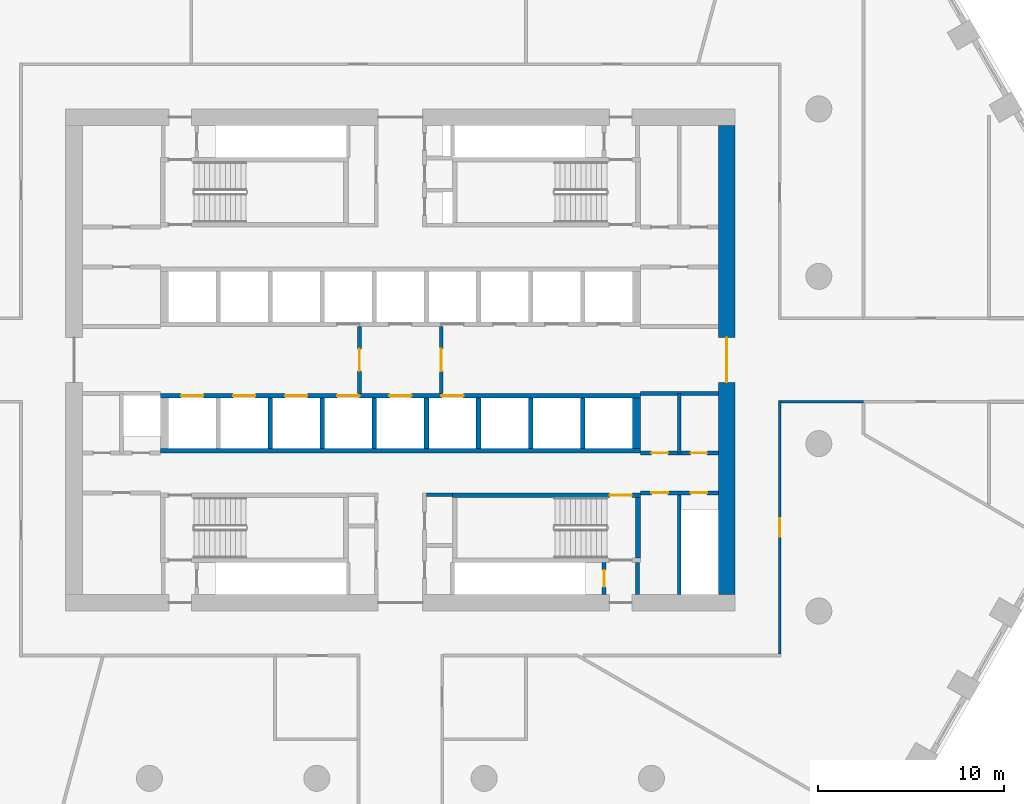
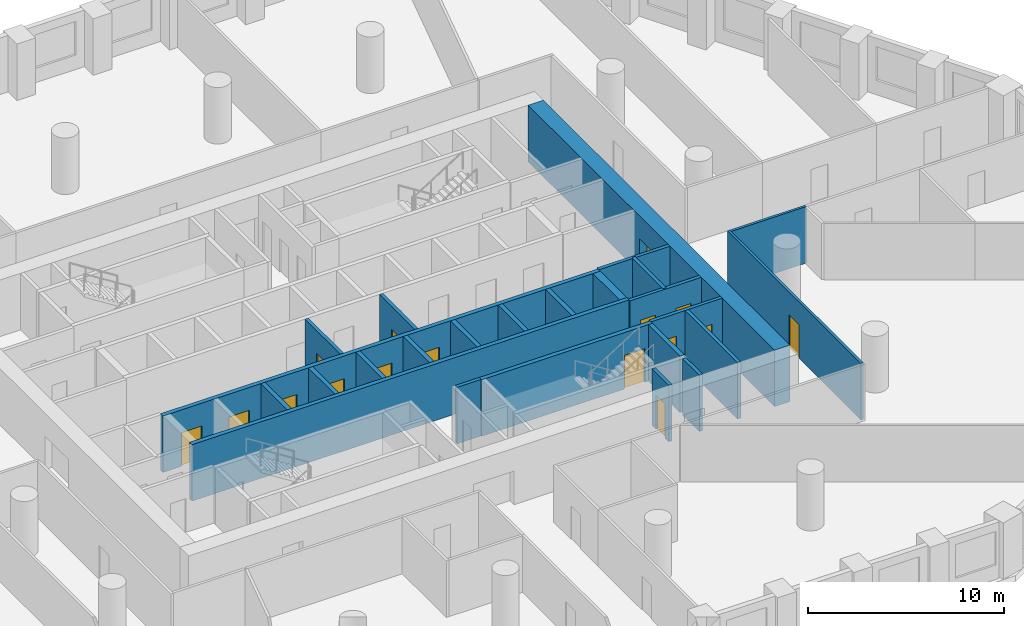
# One storey, part 4 of 10: 25 walls, 16 doors, 16 openings.
"""IFC4 building model written with IfcOpenShell, lengths in metres."""

from ifc_helpers import new_model, si_unit, direction, frame, frame_2d, origin, place, context, subcontext, project, spatial, polyline, rectangle, outline, extrude, material, layer, layer_set, type_object, element, fill, save


model = new_model("IFC4")

# Units and contexts
model_context = context("Model", 3, precision=1e-05, world=origin(), true_north=direction((0.0, 1.0)))
body_context = subcontext(model_context, "Body", "Model", "MODEL_VIEW")
ifc_project = project(units=[si_unit("LENGTHUNIT", "METRE"), si_unit("AREAUNIT", "SQUARE_METRE"), si_unit("VOLUMEUNIT", "CUBIC_METRE"), si_unit("PLANEANGLEUNIT", "RADIAN"), si_unit("MASSUNIT", "GRAM", prefix="KILO")], contexts=[model_context])

# Site, building, storey
site_placement = place(None, origin())
site = spatial("IfcSite", under=ifc_project, at=site_placement, CompositionType="ELEMENT")
building_placement = place(site_placement, origin())
building = spatial("IfcBuilding", under=site, at=building_placement, Name="Dhurran Vertical Campus", CompositionType="ELEMENT")
storey_placement = place(building_placement, frame((0.0, 0.0, 69.0)))
storey = spatial("IfcBuildingStorey", under=building, at=storey_placement, Name="L16", CompositionType="ELEMENT", Elevation=69.0)

# Wall, opening, door
ifc_material_1 = material(Name="Concrete C60/75", Category="concrete")
ifc_layer_1 = layer(ifc_material_1, 0.89990234375)
ifc_layer_set_1 = layer_set([ifc_layer_1], Name="Concrete C60/75")
wall_type_1 = type_object("IfcWallType", Name="co-CORE-WALL-C0-900", PredefinedType="SHEAR", material=ifc_layer_set_1)
wall_1_placement = place(storey_placement, frame((17.550048828125, -12.60009765625, 0.0), z_axis=(0.0, 0.0, 1.0), x_axis=(0.0, 1.0, 0.0)))
wall_1 = element("IfcWall", 1, at=wall_1_placement, inside=storey, type_object=wall_type_1, Name="Core wall E L16", PredefinedType="SHEAR", context=body_context, shape_type="SweptSolid", body=[
    extrude(rectangle(XDim=25.2001953125, YDim=0.89990234375, at=frame_2d((12.60009765625, 0.0))), origin(), (0.0, 0.0, 1.0), 3.52490234375),
])
opening_1_placement = place(wall_1_placement, frame((11.39990234375, 0.0, 0.0)))
opening_1 = element("IfcOpeningElement", 2, at=opening_1_placement, cuts=wall_1, Name="Opening CL2", PredefinedType="OPENING", context=body_context, shape_type="SweptSolid", body=[
    extrude(rectangle(XDim=2.39990234375, YDim=2.10009765625, at=frame_2d((1.199951171875, 1.050048828125))), frame((0.0, 0.4599609375, 0.0), z_axis=(0.0, -1.0, 0.0), x_axis=(1.0, 0.0, 0.0)), (0.0, 0.0, 1.0), 0.919921875),
])
ifc_material_2 = material(Name="Fire-rated glazed door set")
door_type_1 = type_object("IfcDoorType", Name="co-D-LOBBY 2400x2100", OperationType="DOUBLE_DOOR_DOUBLE_SWING", PredefinedType="DOOR", material=ifc_material_2)
door_1_placement = place(opening_1_placement, origin())
door_1 = element("IfcDoor", 3, at=door_1_placement, inside=storey, type_object=door_type_1, Name="Lift lobby door E L16", OperationType="DOUBLE_DOOR_DOUBLE_SWING", OverallHeight=2.10009765625, OverallWidth=2.39990234375, PredefinedType="DOOR", context=body_context, shape_type="SweptSolid", body=[
    extrude(rectangle(XDim=2.39990234375, YDim=2.10009765625, at=frame_2d((1.199951171875, 1.050048828125))), frame((0.0, 0.02490234375, 0.0), z_axis=(0.0, -1.0, 0.0), x_axis=(1.0, 0.0, 0.0)), (0.0, 0.0, 1.0), 0.050048828125),
])
fill(opening_1, door_1)

ifc_material_3 = material(Name="Fire-rated masonry blockwork", Category="masonry")
ifc_layer_2 = layer(ifc_material_3, 0.199951171875)
ifc_layer_set_2 = layer_set([ifc_layer_2], Name="Fire-rated masonry blockwork")
wall_type_2 = type_object("IfcWallType", Name="co-FIRE-PARTITION-200", PredefinedType="PARTITIONING", material=ifc_layer_set_2)
wall_2_placement = place(storey_placement, frame((-2.199951171875, -1.800048828125, 0.0), z_axis=(0.0, 0.0, 1.0), x_axis=(0.0, 1.0, 0.0)))
wall_2 = element("IfcWall", 4, at=wall_2_placement, inside=storey, type_object=wall_type_2, Name="Firefighting lobby wall W L16", PredefinedType="PARTITIONING", context=body_context, shape_type="SweptSolid", body=[
    extrude(rectangle(XDim=3.60009765625, YDim=0.199951171875, at=frame_2d((1.800048828125, 0.0))), origin(), (0.0, 0.0, 1.0), 3.52490234375),
])
opening_2_placement = place(wall_2_placement, frame((1.199951171875, 0.0, 0.0)))
opening_2 = element("IfcOpeningElement", 5, at=opening_2_placement, cuts=wall_2, Name="Opening FL1", PredefinedType="OPENING", context=body_context, shape_type="SweptSolid", body=[
    extrude(rectangle(XDim=1.199951171875, YDim=2.10009765625, at=frame_2d((0.60009765625, 1.050048828125))), frame((0.0, 0.10986328125, 0.0), z_axis=(0.0, -1.0, 0.0), x_axis=(1.0, 0.0, 0.0)), (0.0, 0.0, 1.0), 0.219970703125),
])
ifc_material_4 = material(Name="Fire-rated steel door set", Category="steel")
door_type_2 = type_object("IfcDoorType", Name="co-D-FFLOBBY 1200x2100", OperationType="SINGLE_SWING_LEFT", PredefinedType="DOOR", material=ifc_material_4)
door_2_placement = place(opening_2_placement, origin())
door_2 = element("IfcDoor", 6, at=door_2_placement, inside=storey, type_object=door_type_2, Name="Firefighting lobby door W L16", OperationType="SINGLE_SWING_LEFT", OverallHeight=2.10009765625, OverallWidth=1.199951171875, PredefinedType="DOOR", context=body_context, shape_type="SweptSolid", body=[
    extrude(rectangle(XDim=1.199951171875, YDim=2.10009765625, at=frame_2d((0.60009765625, 1.050048828125))), frame((0.0, 0.02490234375, 0.0), z_axis=(0.0, -1.0, 0.0), x_axis=(1.0, 0.0, 0.0)), (0.0, 0.0, 1.0), 0.050048828125),
])
fill(opening_2, door_2)

wall_3_placement = place(storey_placement, frame((2.199951171875, -1.800048828125, 0.0), z_axis=(0.0, 0.0, 1.0), x_axis=(0.0, 1.0, 0.0)))
wall_3 = element("IfcWall", 7, at=wall_3_placement, inside=storey, type_object=wall_type_2, Name="Firefighting lobby wall E L16", PredefinedType="PARTITIONING", context=body_context, shape_type="SweptSolid", body=[
    extrude(rectangle(XDim=3.60009765625, YDim=0.199951171875, at=frame_2d((1.800048828125, 0.0))), origin(), (0.0, 0.0, 1.0), 3.52490234375),
])
opening_3_placement = place(wall_3_placement, frame((1.199951171875, 0.0, 0.0)))
opening_3 = element("IfcOpeningElement", 8, at=opening_3_placement, cuts=wall_3, Name="Opening FL2", PredefinedType="OPENING", context=body_context, shape_type="SweptSolid", body=[
    extrude(rectangle(XDim=1.199951171875, YDim=2.10009765625, at=frame_2d((0.60009765625, 1.050048828125))), frame((0.0, 0.10986328125, 0.0), z_axis=(0.0, -1.0, 0.0), x_axis=(1.0, 0.0, 0.0)), (0.0, 0.0, 1.0), 0.219970703125),
])
door_3_placement = place(opening_3_placement, origin())
door_3 = element("IfcDoor", 9, at=door_3_placement, inside=storey, type_object=door_type_2, Name="Firefighting lobby door E L16", OperationType="SINGLE_SWING_LEFT", OverallHeight=2.10009765625, OverallWidth=1.199951171875, PredefinedType="DOOR", context=body_context, shape_type="SweptSolid", body=[
    extrude(rectangle(XDim=1.199951171875, YDim=2.10009765625, at=frame_2d((0.60009765625, 1.050048828125))), frame((0.0, 0.02490234375, 0.0), z_axis=(0.0, -1.0, 0.0), x_axis=(1.0, 0.0, 0.0)), (0.0, 0.0, 1.0), 0.050048828125),
])
fill(opening_3, door_3)

# Walls
wall_4_placement = place(storey_placement, frame((1.39990234375, -7.25, 0.0), z_axis=(0.0, 0.0, 1.0), x_axis=(1.0, 0.0, 0.0)))
element("IfcWall", 10, at=wall_4_placement, inside=storey, type_object=wall_type_2, Name="Core partition sl-SE-S L16", PredefinedType="PARTITIONING", context=body_context, shape_type="SweptSolid", body=[
    extrude(rectangle(XDim=1.400146484375, YDim=0.199951171875, at=frame_2d((0.7001953125, 0.0))), origin(), (0.0, 0.0, 1.0), 3.52490234375),
])
wall_5_placement = place(storey_placement, frame((12.75, -12.60009765625, 0.0), z_axis=(0.0, 0.0, 1.0), x_axis=(0.0, 1.0, 0.0)))
element("IfcWall", 11, at=wall_5_placement, inside=storey, type_object=wall_type_2, Name="Core partition pass-ST4-o L16", PredefinedType="PARTITIONING", context=body_context, shape_type="SweptSolid", body=[
    extrude(rectangle(XDim=1.7001953125, YDim=0.199951171875, at=frame_2d((0.85009765625, 0.0))), origin(), (0.0, 0.0, 1.0), 3.52490234375),
])

# Wall, opening, door
wall_6_placement = place(storey_placement, frame((10.949951171875, -12.60009765625, 0.0), z_axis=(0.0, 0.0, 1.0), x_axis=(0.0, 1.0, 0.0)))
wall_6 = element("IfcWall", 12, at=wall_6_placement, inside=storey, type_object=wall_type_2, Name="Core partition pass-ST4-i L16", PredefinedType="PARTITIONING", context=body_context, shape_type="SweptSolid", body=[
    extrude(rectangle(XDim=1.7001953125, YDim=0.199951171875, at=frame_2d((0.85009765625, 0.0))), origin(), (0.0, 0.0, 1.0), 3.52490234375),
])
opening_4_placement = place(wall_6_placement, frame((0.39990234375, 0.0, 0.0)))
opening_4 = element("IfcOpeningElement", 13, at=opening_4_placement, cuts=wall_6, Name="Opening T04-C12", PredefinedType="OPENING", context=body_context, shape_type="SweptSolid", body=[
    extrude(rectangle(XDim=0.89990234375, YDim=2.10009765625, at=frame_2d((0.449951171875, 1.050048828125))), frame((0.0, 0.10986328125, 0.0), z_axis=(0.0, -1.0, 0.0), x_axis=(1.0, 0.0, 0.0)), (0.0, 0.0, 1.0), 0.219970703125),
])
ifc_material_5 = material(Name="Fire-rated timber door set", Category="wood")
door_type_3 = type_object("IfcDoorType", Name="co-D-ROOM 900x2100", OperationType="SINGLE_SWING_LEFT", PredefinedType="DOOR", material=ifc_material_5)
door_4_placement = place(opening_4_placement, origin())
door_4 = element("IfcDoor", 14, at=door_4_placement, inside=storey, type_object=door_type_3, Name="Riser room door L16", OperationType="SINGLE_SWING_LEFT", OverallHeight=2.10009765625, OverallWidth=0.89990234375, PredefinedType="DOOR", context=body_context, shape_type="SweptSolid", body=[
    extrude(rectangle(XDim=0.89990234375, YDim=2.10009765625, at=frame_2d((0.449951171875, 1.050048828125))), frame((0.0, 0.02490234375, 0.0), z_axis=(0.0, -1.0, 0.0), x_axis=(1.0, 0.0, 0.0)), (0.0, 0.0, 1.0), 0.050048828125),
])
fill(opening_4, door_4)

# Wall
wall_7_placement = place(storey_placement, frame((15.0, -12.60009765625, 0.0), z_axis=(0.0, 0.0, 1.0), x_axis=(0.0, 1.0, 0.0)))
element("IfcWall", 15, at=wall_7_placement, inside=storey, type_object=wall_type_2, Name="Core partition en-SE-cut0 L16", PredefinedType="PARTITIONING", context=body_context, shape_type="SweptSolid", body=[
    extrude(rectangle(XDim=5.4501953125, YDim=0.199951171875, at=frame_2d((2.72509765625, 0.0))), origin(), (0.0, 0.0, 1.0), 3.52490234375),
])

# Wall, openings, doors
wall_8_placement = place(storey_placement, frame((12.89990234375, -7.14990234375, 0.0), z_axis=(0.0, 0.0, 1.0), x_axis=(1.0, 0.0, 0.0)))
wall_8 = element("IfcWall", 16, at=wall_8_placement, inside=storey, type_object=wall_type_2, Name="Core partition en-SE-w L16", PredefinedType="PARTITIONING", context=body_context, shape_type="SweptSolid", body=[
    extrude(rectangle(XDim=4.2001953125, YDim=0.199951171875, at=frame_2d((2.10009765625, 0.0))), origin(), (0.0, 0.0, 1.0), 3.52490234375),
])
opening_5_placement = place(wall_8_placement, frame((0.60009765625, 0.0, 0.0)))
opening_5 = element("IfcOpeningElement", 17, at=opening_5_placement, cuts=wall_8, Name="Opening T04-C21", PredefinedType="OPENING", context=body_context, shape_type="SweptSolid", body=[
    extrude(rectangle(XDim=0.89990234375, YDim=2.10009765625, at=frame_2d((0.449951171875, 1.050048828125))), frame((0.0, 0.10986328125, 0.0), z_axis=(0.0, -1.0, 0.0), x_axis=(1.0, 0.0, 0.0)), (0.0, 0.0, 1.0), 0.219970703125),
])
opening_6_placement = place(wall_8_placement, frame((2.699951171875, 0.0, 0.0)))
opening_6 = element("IfcOpeningElement", 18, at=opening_6_placement, cuts=wall_8, Name="Opening T04-C22", PredefinedType="OPENING", context=body_context, shape_type="SweptSolid", body=[
    extrude(rectangle(XDim=0.89990234375, YDim=2.10009765625, at=frame_2d((0.449951171875, 1.050048828125))), frame((0.0, 0.10986328125, 0.0), z_axis=(0.0, -1.0, 0.0), x_axis=(1.0, 0.0, 0.0)), (0.0, 0.0, 1.0), 0.219970703125),
])
door_5_placement = place(opening_5_placement, origin())
door_5 = element("IfcDoor", 19, at=door_5_placement, inside=storey, type_object=door_type_3, Name="Store door L16", OperationType="SINGLE_SWING_LEFT", OverallHeight=2.10009765625, OverallWidth=0.89990234375, PredefinedType="DOOR", context=body_context, shape_type="SweptSolid", body=[
    extrude(rectangle(XDim=0.89990234375, YDim=2.10009765625, at=frame_2d((0.449951171875, 1.050048828125))), frame((0.0, 0.02490234375, 0.0), z_axis=(0.0, -1.0, 0.0), x_axis=(1.0, 0.0, 0.0)), (0.0, 0.0, 1.0), 0.050048828125),
])
fill(opening_5, door_5)
door_6_placement = place(opening_6_placement, origin())
door_6 = element("IfcDoor", 20, at=door_6_placement, inside=storey, type_object=door_type_3, Name="Electrical riser door L16", OperationType="SINGLE_SWING_LEFT", OverallHeight=2.10009765625, OverallWidth=0.89990234375, PredefinedType="DOOR", context=body_context, shape_type="SweptSolid", body=[
    extrude(rectangle(XDim=0.89990234375, YDim=2.10009765625, at=frame_2d((0.449951171875, 1.050048828125))), frame((0.0, 0.02490234375, 0.0), z_axis=(0.0, -1.0, 0.0), x_axis=(1.0, 0.0, 0.0)), (0.0, 0.0, 1.0), 0.050048828125),
])
fill(opening_6, door_6)

# Wall
wall_9_placement = place(storey_placement, frame((15.0, -5.0, 0.0), z_axis=(0.0, 0.0, 1.0), x_axis=(0.0, 1.0, 0.0)))
element("IfcWall", 21, at=wall_9_placement, inside=storey, type_object=wall_type_2, Name="Core partition es-SE-cut0 L16", PredefinedType="PARTITIONING", context=body_context, shape_type="SweptSolid", body=[
    extrude(rectangle(XDim=3.199951171875, YDim=0.199951171875, at=frame_2d((1.60009765625, 0.0))), origin(), (0.0, 0.0, 1.0), 3.52490234375),
])

# Wall, openings, doors
wall_10_placement = place(storey_placement, frame((12.89990234375, -5.0, 0.0), z_axis=(0.0, 0.0, 1.0), x_axis=(1.0, 0.0, 0.0)))
wall_10 = element("IfcWall", 22, at=wall_10_placement, inside=storey, type_object=wall_type_2, Name="Core partition es-SE-w L16", PredefinedType="PARTITIONING", context=body_context, shape_type="SweptSolid", body=[
    extrude(rectangle(XDim=4.2001953125, YDim=0.199951171875, at=frame_2d((2.10009765625, 0.0))), origin(), (0.0, 0.0, 1.0), 3.52490234375),
])
opening_7_placement = place(wall_10_placement, frame((0.60009765625, 0.0, 0.0)))
opening_7 = element("IfcOpeningElement", 23, at=opening_7_placement, cuts=wall_10, Name="Opening T04-C23", PredefinedType="OPENING", context=body_context, shape_type="SweptSolid", body=[
    extrude(rectangle(XDim=0.89990234375, YDim=2.10009765625, at=frame_2d((0.449951171875, 1.050048828125))), frame((0.0, 0.10986328125, 0.0), z_axis=(0.0, -1.0, 0.0), x_axis=(1.0, 0.0, 0.0)), (0.0, 0.0, 1.0), 0.219970703125),
])
opening_8_placement = place(wall_10_placement, frame((2.699951171875, 0.0, 0.0)))
opening_8 = element("IfcOpeningElement", 24, at=opening_8_placement, cuts=wall_10, Name="Opening T04-C24", PredefinedType="OPENING", context=body_context, shape_type="SweptSolid", body=[
    extrude(rectangle(XDim=0.89990234375, YDim=2.10009765625, at=frame_2d((0.449951171875, 1.050048828125))), frame((0.0, 0.10986328125, 0.0), z_axis=(0.0, -1.0, 0.0), x_axis=(1.0, 0.0, 0.0)), (0.0, 0.0, 1.0), 0.219970703125),
])
door_7_placement = place(opening_7_placement, origin())
door_7 = element("IfcDoor", 25, at=door_7_placement, inside=storey, type_object=door_type_3, Name="Pantry door L16", OperationType="SINGLE_SWING_LEFT", OverallHeight=2.10009765625, OverallWidth=0.89990234375, PredefinedType="DOOR", context=body_context, shape_type="SweptSolid", body=[
    extrude(rectangle(XDim=0.89990234375, YDim=2.10009765625, at=frame_2d((0.449951171875, 1.050048828125))), frame((0.0, 0.02490234375, 0.0), z_axis=(0.0, -1.0, 0.0), x_axis=(1.0, 0.0, 0.0)), (0.0, 0.0, 1.0), 0.050048828125),
])
fill(opening_7, door_7)
door_8_placement = place(opening_8_placement, origin())
door_8 = element("IfcDoor", 26, at=door_8_placement, inside=storey, type_object=door_type_3, Name="Pantry door L16", OperationType="SINGLE_SWING_LEFT", OverallHeight=2.10009765625, OverallWidth=0.89990234375, PredefinedType="DOOR", context=body_context, shape_type="SweptSolid", body=[
    extrude(rectangle(XDim=0.89990234375, YDim=2.10009765625, at=frame_2d((0.449951171875, 1.050048828125))), frame((0.0, 0.02490234375, 0.0), z_axis=(0.0, -1.0, 0.0), x_axis=(1.0, 0.0, 0.0)), (0.0, 0.0, 1.0), 0.050048828125),
])
fill(opening_8, door_8)

# Wall
wall_11_placement = place(storey_placement, frame((12.89990234375, -1.800048828125, 0.0), z_axis=(0.0, 0.0, 1.0), x_axis=(1.0, 0.0, 0.0)))
element("IfcWall", 27, at=wall_11_placement, inside=storey, type_object=wall_type_2, Name="Core partition es-SE-l L16", PredefinedType="PARTITIONING", context=body_context, shape_type="SweptSolid", body=[
    extrude(rectangle(XDim=4.2001953125, YDim=0.199951171875, at=frame_2d((2.10009765625, 0.0))), origin(), (0.0, 0.0, 1.0), 3.52490234375),
])

# Wall, openings, doors
ifc_material_6 = material(Name="Concrete C50/60", Category="concrete")
ifc_layer_3 = layer(ifc_material_6, 0.25)
ifc_layer_set_3 = layer_set([ifc_layer_3], Name="Concrete C50/60")
wall_type_3 = type_object("IfcWallType", Name="co-SHAFT-FRONT-250", PredefinedType="SHEAR", material=ifc_layer_set_3)
wall_12_placement = place(storey_placement, frame((-12.89990234375, -1.925048828125, 0.0), z_axis=(0.0, 0.0, 1.0), x_axis=(1.0, 0.0, 0.0)))
wall_12 = element("IfcWall", 28, at=wall_12_placement, inside=storey, type_object=wall_type_3, Name="Lift landing wall S L16", PredefinedType="SHEAR", context=body_context, shape_type="SweptSolid", body=[
    extrude(rectangle(XDim=25.7998046875, YDim=0.25, at=frame_2d((12.89990234375, 0.0))), origin(), (0.0, 0.0, 1.0), 3.52490234375),
])
opening_9_placement = place(wall_12_placement, frame((1.10009765625, 0.0, 0.0)))
opening_9 = element("IfcOpeningElement", 29, at=opening_9_placement, cuts=wall_12, Name="Opening LD", PredefinedType="OPENING", context=body_context, shape_type="SweptSolid", body=[
    extrude(rectangle(XDim=1.199951171875, YDim=2.10009765625, at=frame_2d((0.60009765625, 1.050048828125))), frame((0.0, 0.135009765625, 0.0), z_axis=(0.0, -1.0, 0.0), x_axis=(1.0, 0.0, 0.0)), (0.0, 0.0, 1.0), 0.27001953125),
])
opening_10_placement = place(wall_12_placement, frame((3.89990234375, 0.0, 0.0)))
opening_10 = element("IfcOpeningElement", 30, at=opening_10_placement, cuts=wall_12, Name="Opening LD", PredefinedType="OPENING", context=body_context, shape_type="SweptSolid", body=[
    extrude(rectangle(XDim=1.199951171875, YDim=2.10009765625, at=frame_2d((0.60009765625, 1.050048828125))), frame((0.0, 0.135009765625, 0.0), z_axis=(0.0, -1.0, 0.0), x_axis=(1.0, 0.0, 0.0)), (0.0, 0.0, 1.0), 0.27001953125),
])
opening_11_placement = place(wall_12_placement, frame((6.699951171875, 0.0, 0.0)))
opening_11 = element("IfcOpeningElement", 31, at=opening_11_placement, cuts=wall_12, Name="Opening LD", PredefinedType="OPENING", context=body_context, shape_type="SweptSolid", body=[
    extrude(rectangle(XDim=1.199951171875, YDim=2.10009765625, at=frame_2d((0.60009765625, 1.050048828125))), frame((0.0, 0.135009765625, 0.0), z_axis=(0.0, -1.0, 0.0), x_axis=(1.0, 0.0, 0.0)), (0.0, 0.0, 1.0), 0.27001953125),
])
opening_12_placement = place(wall_12_placement, frame((9.5, 0.0, 0.0)))
opening_12 = element("IfcOpeningElement", 32, at=opening_12_placement, cuts=wall_12, Name="Opening LD", PredefinedType="OPENING", context=body_context, shape_type="SweptSolid", body=[
    extrude(rectangle(XDim=1.199951171875, YDim=2.10009765625, at=frame_2d((0.60009765625, 1.050048828125))), frame((0.0, 0.135009765625, 0.0), z_axis=(0.0, -1.0, 0.0), x_axis=(1.0, 0.0, 0.0)), (0.0, 0.0, 1.0), 0.27001953125),
])
opening_13_placement = place(wall_12_placement, frame((12.300048828125, 0.0, 0.0)))
opening_13 = element("IfcOpeningElement", 33, at=opening_13_placement, cuts=wall_12, Name="Opening LD", PredefinedType="OPENING", context=body_context, shape_type="SweptSolid", body=[
    extrude(rectangle(XDim=1.199951171875, YDim=2.10009765625, at=frame_2d((0.60009765625, 1.050048828125))), frame((0.0, 0.135009765625, 0.0), z_axis=(0.0, -1.0, 0.0), x_axis=(1.0, 0.0, 0.0)), (0.0, 0.0, 1.0), 0.27001953125),
])
opening_14_placement = place(wall_12_placement, frame((15.10009765625, 0.0, 0.0)))
opening_14 = element("IfcOpeningElement", 34, at=opening_14_placement, cuts=wall_12, Name="Opening LD", PredefinedType="OPENING", context=body_context, shape_type="SweptSolid", body=[
    extrude(rectangle(XDim=1.199951171875, YDim=2.10009765625, at=frame_2d((0.60009765625, 1.050048828125))), frame((0.0, 0.135009765625, 0.0), z_axis=(0.0, -1.0, 0.0), x_axis=(1.0, 0.0, 0.0)), (0.0, 0.0, 1.0), 0.27001953125),
])
ifc_material_7 = material(Name="Stainless steel landing door", Category="steel")
door_type_4 = type_object("IfcDoorType", Name="co-D-LANDING 1200x2100", OperationType="DOUBLE_DOOR_SLIDING", PredefinedType="DOOR", material=ifc_material_7)
door_9_placement = place(opening_9_placement, origin())
door_9 = element("IfcDoor", 35, at=door_9_placement, inside=storey, type_object=door_type_4, Name="Landing door LR5 L16", OperationType="DOUBLE_DOOR_SLIDING", OverallHeight=2.10009765625, OverallWidth=1.199951171875, PredefinedType="DOOR", context=body_context, shape_type="SweptSolid", body=[
    extrude(rectangle(XDim=1.199951171875, YDim=2.10009765625, at=frame_2d((0.60009765625, 1.050048828125))), frame((0.0, 0.02490234375, 0.0), z_axis=(0.0, -1.0, 0.0), x_axis=(1.0, 0.0, 0.0)), (0.0, 0.0, 1.0), 0.050048828125),
])
fill(opening_9, door_9)
door_10_placement = place(opening_10_placement, origin())
door_10 = element("IfcDoor", 36, at=door_10_placement, inside=storey, type_object=door_type_4, Name="Landing door LR6 L16", OperationType="DOUBLE_DOOR_SLIDING", OverallHeight=2.10009765625, OverallWidth=1.199951171875, PredefinedType="DOOR", context=body_context, shape_type="SweptSolid", body=[
    extrude(rectangle(XDim=1.199951171875, YDim=2.10009765625, at=frame_2d((0.60009765625, 1.050048828125))), frame((0.0, 0.02490234375, 0.0), z_axis=(0.0, -1.0, 0.0), x_axis=(1.0, 0.0, 0.0)), (0.0, 0.0, 1.0), 0.050048828125),
])
fill(opening_10, door_10)
door_11_placement = place(opening_11_placement, origin())
door_11 = element("IfcDoor", 37, at=door_11_placement, inside=storey, type_object=door_type_4, Name="Landing door LR7 L16", OperationType="DOUBLE_DOOR_SLIDING", OverallHeight=2.10009765625, OverallWidth=1.199951171875, PredefinedType="DOOR", context=body_context, shape_type="SweptSolid", body=[
    extrude(rectangle(XDim=1.199951171875, YDim=2.10009765625, at=frame_2d((0.60009765625, 1.050048828125))), frame((0.0, 0.02490234375, 0.0), z_axis=(0.0, -1.0, 0.0), x_axis=(1.0, 0.0, 0.0)), (0.0, 0.0, 1.0), 0.050048828125),
])
fill(opening_11, door_11)
door_12_placement = place(opening_12_placement, origin())
door_12 = element("IfcDoor", 38, at=door_12_placement, inside=storey, type_object=door_type_4, Name="Landing door LR8 L16", OperationType="DOUBLE_DOOR_SLIDING", OverallHeight=2.10009765625, OverallWidth=1.199951171875, PredefinedType="DOOR", context=body_context, shape_type="SweptSolid", body=[
    extrude(rectangle(XDim=1.199951171875, YDim=2.10009765625, at=frame_2d((0.60009765625, 1.050048828125))), frame((0.0, 0.02490234375, 0.0), z_axis=(0.0, -1.0, 0.0), x_axis=(1.0, 0.0, 0.0)), (0.0, 0.0, 1.0), 0.050048828125),
])
fill(opening_12, door_12)
door_13_placement = place(opening_13_placement, origin())
door_13 = element("IfcDoor", 39, at=door_13_placement, inside=storey, type_object=door_type_4, Name="Landing door FF2 L16", OperationType="DOUBLE_DOOR_SLIDING", OverallHeight=2.10009765625, OverallWidth=1.199951171875, PredefinedType="DOOR", context=body_context, shape_type="SweptSolid", body=[
    extrude(rectangle(XDim=1.199951171875, YDim=2.10009765625, at=frame_2d((0.60009765625, 1.050048828125))), frame((0.0, 0.02490234375, 0.0), z_axis=(0.0, -1.0, 0.0), x_axis=(1.0, 0.0, 0.0)), (0.0, 0.0, 1.0), 0.050048828125),
])
fill(opening_13, door_13)
door_14_placement = place(opening_14_placement, origin())
door_14 = element("IfcDoor", 40, at=door_14_placement, inside=storey, type_object=door_type_4, Name="Landing door SV1 L16", OperationType="DOUBLE_DOOR_SLIDING", OverallHeight=2.10009765625, OverallWidth=1.199951171875, PredefinedType="DOOR", context=body_context, shape_type="SweptSolid", body=[
    extrude(rectangle(XDim=1.199951171875, YDim=2.10009765625, at=frame_2d((0.60009765625, 1.050048828125))), frame((0.0, 0.02490234375, 0.0), z_axis=(0.0, -1.0, 0.0), x_axis=(1.0, 0.0, 0.0)), (0.0, 0.0, 1.0), 0.050048828125),
])
fill(opening_14, door_14)

# Walls
ifc_material_8 = material(Name="Concrete C50/60", Category="concrete")
ifc_layer_4 = layer(ifc_material_8, 0.25)
ifc_layer_set_4 = layer_set([ifc_layer_4], Name="Concrete C50/60")
wall_type_4 = type_object("IfcWallType", Name="co-SHAFT-MASS-250", PredefinedType="SHEAR", material=ifc_layer_set_4)
wall_13_placement = place(storey_placement, origin())
element("IfcWall", 41, at=wall_13_placement, inside=storey, type_object=wall_type_4, Name="Lift shaft wall S L16 1", PredefinedType="SHEAR", context=body_context, shape_type="SweptSolid", body=[
    extrude(outline(polyline([(-12.89990234375, -5.0), (12.89990234375, -5.0), (12.89990234375, -4.75), (-12.89990234375, -4.75), (-12.89990234375, -5.0)])), origin(), (0.0, 0.0, 1.0), 3.52490234375),
])
wall_14_placement = place(storey_placement, origin())
element("IfcWall", 42, at=wall_14_placement, inside=storey, type_object=wall_type_4, Name="Lift shaft wall S L16 4", PredefinedType="SHEAR", context=body_context, shape_type="SweptSolid", body=[
    extrude(outline(polyline([(-7.125, -4.75), (-6.875, -4.75), (-6.875, -2.050048828125), (-7.125, -2.050048828125), (-7.125, -4.75)])), origin(), (0.0, 0.0, 1.0), 3.52490234375),
])
wall_15_placement = place(storey_placement, origin())
element("IfcWall", 43, at=wall_15_placement, inside=storey, type_object=wall_type_4, Name="Lift shaft wall S L16 5", PredefinedType="SHEAR", context=body_context, shape_type="SweptSolid", body=[
    extrude(outline(polyline([(-4.324951171875, -4.75), (-4.074951171875, -4.75), (-4.074951171875, -2.050048828125), (-4.324951171875, -2.050048828125), (-4.324951171875, -4.75)])), origin(), (0.0, 0.0, 1.0), 3.52490234375),
])
wall_16_placement = place(storey_placement, origin())
element("IfcWall", 44, at=wall_16_placement, inside=storey, type_object=wall_type_4, Name="Lift shaft wall S L16 6", PredefinedType="SHEAR", context=body_context, shape_type="SweptSolid", body=[
    extrude(outline(polyline([(-1.52490234375, -4.75), (-1.27490234375, -4.75), (-1.27490234375, -2.050048828125), (-1.52490234375, -2.050048828125), (-1.52490234375, -4.75)])), origin(), (0.0, 0.0, 1.0), 3.52490234375),
])
wall_17_placement = place(storey_placement, origin())
element("IfcWall", 45, at=wall_17_placement, inside=storey, type_object=wall_type_4, Name="Lift shaft wall S L16 7", PredefinedType="SHEAR", context=body_context, shape_type="SweptSolid", body=[
    extrude(outline(polyline([(1.27490234375, -4.75), (1.52490234375, -4.75), (1.52490234375, -2.050048828125), (1.27490234375, -2.050048828125), (1.27490234375, -4.75)])), origin(), (0.0, 0.0, 1.0), 3.52490234375),
])
wall_18_placement = place(storey_placement, origin())
element("IfcWall", 46, at=wall_18_placement, inside=storey, type_object=wall_type_4, Name="Lift shaft wall S L16 8", PredefinedType="SHEAR", context=body_context, shape_type="SweptSolid", body=[
    extrude(outline(polyline([(4.074951171875, -4.75), (4.324951171875, -4.75), (4.324951171875, -2.050048828125), (4.074951171875, -2.050048828125), (4.074951171875, -4.75)])), origin(), (0.0, 0.0, 1.0), 3.52490234375),
])
wall_19_placement = place(storey_placement, origin())
element("IfcWall", 47, at=wall_19_placement, inside=storey, type_object=wall_type_4, Name="Lift shaft wall S L16 9", PredefinedType="SHEAR", context=body_context, shape_type="SweptSolid", body=[
    extrude(outline(polyline([(6.875, -4.75), (7.125, -4.75), (7.125, -2.050048828125), (6.875, -2.050048828125), (6.875, -4.75)])), origin(), (0.0, 0.0, 1.0), 3.52490234375),
])
wall_20_placement = place(storey_placement, origin())
element("IfcWall", 48, at=wall_20_placement, inside=storey, type_object=wall_type_4, Name="Lift shaft wall S L16 10", PredefinedType="SHEAR", context=body_context, shape_type="SweptSolid", body=[
    extrude(outline(polyline([(9.675048828125, -4.75), (9.925048828125, -4.75), (9.925048828125, -2.050048828125), (9.675048828125, -2.050048828125), (9.675048828125, -4.75)])), origin(), (0.0, 0.0, 1.0), 3.52490234375),
])
wall_21_placement = place(storey_placement, origin())
element("IfcWall", 49, at=wall_21_placement, inside=storey, type_object=wall_type_4, Name="Lift shaft wall S L16 11", PredefinedType="SHEAR", context=body_context, shape_type="SweptSolid", body=[
    extrude(outline(polyline([(12.47509765625, -4.75), (12.89990234375, -4.75), (12.89990234375, -2.050048828125), (12.47509765625, -2.050048828125), (12.47509765625, -4.75)])), origin(), (0.0, 0.0, 1.0), 3.52490234375),
])

# Wall, opening, door
ifc_material_9 = material(Name="Concrete C40/50", Category="concrete")
ifc_layer_5 = layer(ifc_material_9, 0.25)
ifc_layer_set_5 = layer_set([ifc_layer_5], Name="Concrete C40/50")
wall_type_5 = type_object("IfcWallType", Name="co-STAIR-WALL-250", PredefinedType="SHEAR", material=ifc_layer_set_5)
wall_22_placement = place(storey_placement, frame((2.800048828125, -7.27490234375, 0.0), z_axis=(0.0, 0.0, 1.0), x_axis=(1.0, 0.0, 0.0)))
wall_22 = element("IfcWall", 50, at=wall_22_placement, inside=storey, type_object=wall_type_5, Name="Stair ST4 enclosure wall L16", PredefinedType="SHEAR", context=body_context, shape_type="SweptSolid", body=[
    extrude(rectangle(XDim=10.099853515625, YDim=0.25, at=frame_2d((5.0498046875, 0.0))), origin(), (0.0, 0.0, 1.0), 3.52490234375),
])
opening_15_placement = place(wall_22_placement, frame((8.449951171875, 0.0, 0.0)))
opening_15 = element("IfcOpeningElement", 51, at=opening_15_placement, cuts=wall_22, Name="Opening SD4", PredefinedType="OPENING", context=body_context, shape_type="SweptSolid", body=[
    extrude(rectangle(XDim=1.199951171875, YDim=2.10009765625, at=frame_2d((0.60009765625, 1.050048828125))), frame((0.0, 0.135009765625, 0.0), z_axis=(0.0, -1.0, 0.0), x_axis=(1.0, 0.0, 0.0)), (0.0, 0.0, 1.0), 0.27001953125),
])
ifc_material_10 = material(Name="Fire-rated steel door set", Category="steel")
door_type_5 = type_object("IfcDoorType", Name="co-D-STAIR 1200x2100", OperationType="SINGLE_SWING_LEFT", PredefinedType="DOOR", material=ifc_material_10)
door_15_placement = place(opening_15_placement, origin())
door_15 = element("IfcDoor", 52, at=door_15_placement, inside=storey, type_object=door_type_5, Name="Stair ST4 door L16", OperationType="SINGLE_SWING_LEFT", OverallHeight=2.10009765625, OverallWidth=1.199951171875, PredefinedType="DOOR", context=body_context, shape_type="SweptSolid", body=[
    extrude(rectangle(XDim=1.199951171875, YDim=2.10009765625, at=frame_2d((0.60009765625, 1.050048828125))), frame((0.0, 0.02490234375, 0.0), z_axis=(0.0, -1.0, 0.0), x_axis=(1.0, 0.0, 0.0)), (0.0, 0.0, 1.0), 0.050048828125),
])
fill(opening_15, door_15)

# Wall
wall_23_placement = place(storey_placement, frame((12.77490234375, -10.64990234375, 0.0), z_axis=(0.0, 0.0, 1.0), x_axis=(0.0, 1.0, 0.0)))
element("IfcWall", 53, at=wall_23_placement, inside=storey, type_object=wall_type_5, Name="Stair ST4 enclosure wall L16", PredefinedType="SHEAR", context=body_context, shape_type="SweptSolid", body=[
    extrude(rectangle(XDim=3.25, YDim=0.25, at=frame_2d((1.625, 0.0))), origin(), (0.0, 0.0, 1.0), 3.52490234375),
])

# Wall, opening, door
ifc_material_11 = material(Name="Gypsum board corridor wall on steel studs", Category="steel")
ifc_layer_6 = layer(ifc_material_11, 0.14990234375)
ifc_layer_set_6 = layer_set([ifc_layer_6], Name="Gypsum board corridor wall on steel studs")
wall_type_6 = type_object("IfcWallType", Name="fl-CW-150 corridor wall", PredefinedType="PARTITIONING", material=ifc_layer_set_6)
wall_24_placement = place(storey_placement, frame((20.39990234375, -15.824951171875, 0.0), z_axis=(0.0, 0.0, 1.0), x_axis=(0.0, 1.0, 0.0)))
wall_24 = element("IfcWall", 54, at=wall_24_placement, inside=storey, type_object=wall_type_6, Name="Partition 16-36", PredefinedType="PARTITIONING", context=body_context, shape_type="SweptSolid", body=[
    extrude(rectangle(XDim=13.64990234375, YDim=0.14990234375, at=frame_2d((6.824951171875, 0.0))), origin(), (0.0, 0.0, 1.0), 3.52490234375),
])
opening_16_placement = place(wall_24_placement, frame((6.324951171875, 0.0, 0.0)))
opening_16 = element("IfcOpeningElement", 55, at=opening_16_placement, cuts=wall_24, Name="Opening T04.14", PredefinedType="OPENING", context=body_context, shape_type="SweptSolid", body=[
    extrude(rectangle(XDim=1.0, YDim=2.10009765625, at=frame_2d((0.5, 1.050048828125))), frame((0.0, 0.0849609375, 0.0), z_axis=(0.0, -1.0, 0.0), x_axis=(1.0, 0.0, 0.0)), (0.0, 0.0, 1.0), 0.169921875),
])
ifc_material_12 = material(Name="Solid-core timber door set, fire-rated", Category="wood")
door_type_6 = type_object("IfcDoorType", Name="fl-D-1000x2100", OperationType="SINGLE_SWING_LEFT", PredefinedType="DOOR", material=ifc_material_12)
door_16_placement = place(opening_16_placement, origin())
door_16 = element("IfcDoor", 56, at=door_16_placement, inside=storey, type_object=door_type_6, Name="Door 16.14", OperationType="SINGLE_SWING_RIGHT", OverallHeight=2.10009765625, OverallWidth=1.0, PredefinedType="DOOR", context=body_context, shape_type="SweptSolid", body=[
    extrude(rectangle(XDim=1.0, YDim=2.10009765625, at=frame_2d((0.5, 1.050048828125))), frame((0.0, 0.02490234375, 0.0), z_axis=(0.0, -1.0, 0.0), x_axis=(1.0, 0.0, 0.0)), (0.0, 0.0, 1.0), 0.050048828125),
])
fill(opening_16, door_16)

# Wall
wall_25_placement = place(storey_placement, frame((24.89990234375, -2.25, 0.0), z_axis=(0.0, 0.0, 1.0), x_axis=(-1.0, 0.0, 0.0)))
element("IfcWall", 57, at=wall_25_placement, inside=storey, type_object=wall_type_6, Name="Partition 16-37", PredefinedType="PARTITIONING", context=body_context, shape_type="SweptSolid", body=[
    extrude(rectangle(XDim=4.4248046875, YDim=0.14990234375, at=frame_2d((2.21240234375, 0.0))), origin(), (0.0, 0.0, 1.0), 3.52490234375),
])

save(model, "model.ifc")
